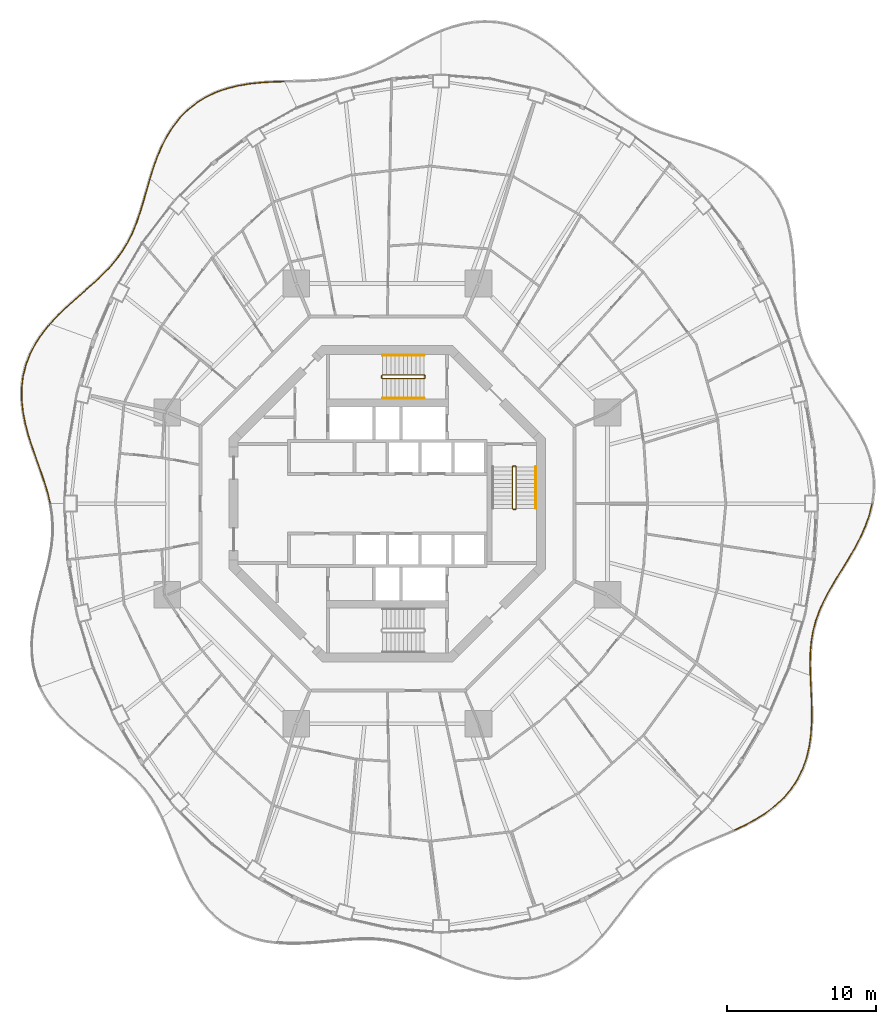
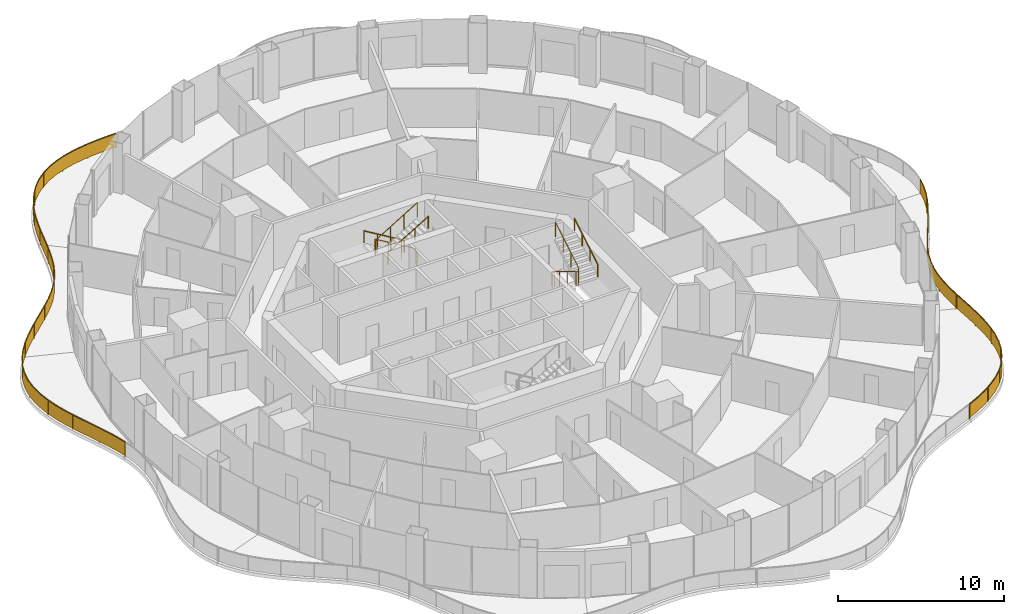
# One storey, part 18 of 19: 10 railings.
"""IFC4 building model written with IfcOpenShell, lengths in metres."""

from ifc_helpers import new_model, si_unit, direction, frame, origin, origin_2d, place, context, subcontext, project, spatial, polyline, rectangle, circle, outline, extrude, material, type_object, element, save


model = new_model("IFC4")

# Units and contexts
model_context = context("Model", 3, precision=1e-05, world=origin(), true_north=direction((0.0, 1.0)))
body_context = subcontext(model_context, "Body", "Model", "MODEL_VIEW")
ifc_project = project(units=[si_unit("LENGTHUNIT", "METRE"), si_unit("AREAUNIT", "SQUARE_METRE"), si_unit("VOLUMEUNIT", "CUBIC_METRE"), si_unit("PLANEANGLEUNIT", "RADIAN"), si_unit("MASSUNIT", "GRAM", prefix="KILO")], contexts=[model_context])

# Site, building, storey
site_placement = place(None, origin())
site = spatial("IfcSite", under=ifc_project, at=site_placement, CompositionType="ELEMENT")
building_placement = place(site_placement, origin())
building = spatial("IfcBuilding", under=site, at=building_placement, Name="Nagisa Residences", CompositionType="ELEMENT")
storey_placement = place(building_placement, frame((0.0, 0.0, 184.39990234375)))
storey = spatial("IfcBuildingStorey", under=building, at=storey_placement, Name="L46", CompositionType="ELEMENT", Elevation=184.39990234375)

# Railings
ifc_material_1 = material(Name="Stainless steel 316", Category="steel")
railing_type_1 = type_object("IfcRailingType", Name="BALCONY GUARD 1100", PredefinedType="BALUSTRADE", material=ifc_material_1)
railing_1_placement = place(storey_placement, frame((-6.9404296875, 28.35693359375, 0.0)))
element("IfcRailing", 1, at=railing_1_placement, inside=storey, type_object=railing_type_1, Name="guard:L46:bal05-0", PredefinedType="BALUSTRADE", context=body_context, shape_type="SweptSolid", body=[
    extrude(outline(polyline([(-0.731201171875, -0.044677734375), (0.000732421875, -0.02490234375), (-0.000732421875, 0.02490234375), (-0.733154296875, 0.005126953125), (-1.51904296875, -0.04150390625), (-2.304931640625, -0.1240234375), (-3.0810546875, -0.254638671875), (-3.8359375, -0.442138671875), (-4.551513671875, -0.687744140625), (-5.240478515625, -1.011962890625), (-5.882568359375, -1.407958984375), (-6.471435546875, -1.875), (-7.0029296875, -2.4091796875), (-7.46240234375, -2.992919921875), (-7.875, -3.63916015625), (-8.232177734375, -4.32666015625), (-8.539306640625, -5.04443359375), (-8.805419921875, -5.781005859375), (-9.02392578125, -6.4814453125), (-8.97607421875, -6.49658203125), (-8.758056640625, -5.797119140625), (-8.492919921875, -5.06298828125), (-8.186767578125, -4.34814453125), (-7.83154296875, -3.6640625), (-7.42138671875, -3.021728515625), (-6.96533203125, -2.4423828125), (-6.438232421875, -1.91259765625), (-5.853759765625, -1.448974609375), (-5.216552734375, -1.055908203125), (-4.532470703125, -0.734130859375), (-3.82177734375, -0.489990234375), (-3.07080078125, -0.303466796875), (-2.298095703125, -0.173828125), (-1.51513671875, -0.09130859375), (-0.731201171875, -0.044677734375)])), frame((0.0, 0.0, 1.050048828125)), (0.0, 0.0, 1.0), 0.050048828125),
    extrude(outline(polyline([(-0.73193359375, -0.02685546875), (0.000244140625, -0.007080078125), (-0.000244140625, 0.007080078125), (-0.732421875, -0.0126953125), (-1.517578125, -0.059326171875), (-2.302490234375, -0.14208984375), (-3.077392578125, -0.272216796875), (-3.830810546875, -0.459228515625), (-4.544677734375, -0.704345703125), (-5.23193359375, -1.02783203125), (-5.8720703125, -1.422607421875), (-6.45947265625, -1.888671875), (-6.9892578125, -2.421142578125), (-7.447509765625, -3.003173828125), (-7.859375, -3.648193359375), (-8.2158203125, -4.33447265625), (-8.522705078125, -5.051025390625), (-8.788330078125, -5.786865234375), (-9.006591796875, -6.48681640625), (-8.993408203125, -6.4912109375), (-8.775146484375, -5.791259765625), (-8.509521484375, -5.056396484375), (-8.203125, -4.34033203125), (-7.84716796875, -3.655029296875), (-7.436279296875, -3.011474609375), (-6.97900390625, -2.430419921875), (-6.4501953125, -1.89892578125), (-5.8642578125, -1.434326171875), (-5.22509765625, -1.0400390625), (-4.539306640625, -0.717529296875), (-3.826904296875, -0.472900390625), (-3.074462890625, -0.285888671875), (-2.300537109375, -0.15576171875), (-1.5166015625, -0.073486328125), (-0.73193359375, -0.02685546875)])), frame((0.0, 0.0, 0.06005859375)), (0.0, 0.0, 1.0), 0.989990234375),
    extrude(rectangle(XDim=0.0400390625, YDim=0.0400390625, at=origin_2d()), origin(), (0.0, 0.0, 1.0), 1.050048828125),
    extrude(rectangle(XDim=0.0400390625, YDim=0.0400390625, at=origin_2d()), frame((-2.029541015625, -0.120361328125, 0.0)), (0.0, 0.0, 1.0), 1.050048828125),
    extrude(rectangle(XDim=0.0400390625, YDim=0.0400390625, at=origin_2d()), frame((-4.017333984375, -0.53076171875, 0.0)), (0.0, 0.0, 1.0), 1.050048828125),
    extrude(rectangle(XDim=0.0400390625, YDim=0.0400390625, at=origin_2d()), frame((-5.841796875, -1.412109375, 0.0)), (0.0, 0.0, 1.0), 1.050048828125),
    extrude(rectangle(XDim=0.0400390625, YDim=0.0400390625, at=origin_2d()), frame((-7.295654296875, -2.821533203125, 0.0)), (0.0, 0.0, 1.0), 1.050048828125),
    extrude(rectangle(XDim=0.0400390625, YDim=0.0400390625, at=origin_2d()), frame((-8.31201171875, -4.57666015625, 0.0)), (0.0, 0.0, 1.0), 1.050048828125),
    extrude(rectangle(XDim=0.0400390625, YDim=0.0400390625, at=origin_2d()), frame((-9.0, -6.489013671875, 0.0)), (0.0, 0.0, 1.0), 1.050048828125),
])
railing_2_placement = place(storey_placement, frame((-15.961181640625, 21.794189453125, 0.0)))
element("IfcRailing", 2, at=railing_2_placement, inside=storey, type_object=railing_type_1, Name="guard:L46:bal06-0", PredefinedType="BALUSTRADE", context=body_context, shape_type="SweptSolid", body=[
    extrude(outline(polyline([(-0.185791015625, -0.739013671875), (0.024169921875, -0.0068359375), (-0.024169921875, 0.0068359375), (-0.234130859375, -0.725341796875), (-0.45068359375, -1.4853515625), (-0.674072265625, -2.220947265625), (-0.91650390625, -2.926025390625), (-1.19091796875, -3.59619140625), (-1.49755859375, -4.2177734375), (-1.860595703125, -4.8173828125), (-2.275146484375, -5.386474609375), (-2.7412109375, -5.931396484375), (-3.25439453125, -6.458984375), (-3.80126953125, -6.96435546875), (-4.384521484375, -7.482421875), (-4.98388671875, -8.0087890625), (-5.58447265625, -8.551025390625), (-6.169677734375, -9.115966796875), (-6.69287109375, -9.673095703125), (-6.65625, -9.707275390625), (-6.134033203125, -9.151123046875), (-5.55029296875, -8.587646484375), (-4.95068359375, -8.04638671875), (-4.351318359375, -7.52001953125), (-3.767578125, -7.00146484375), (-3.21923828125, -6.49462890625), (-2.7041015625, -5.965087890625), (-2.236083984375, -5.417724609375), (-1.819091796875, -4.84521484375), (-1.45361328125, -4.24169921875), (-1.14501953125, -3.61669921875), (-0.86962890625, -2.943603515625), (-0.626220703125, -2.236572265625), (-0.40283203125, -1.49951171875), (-0.185791015625, -0.739013671875)])), frame((0.0, 0.0, 1.050048828125)), (0.0, 0.0, 1.0), 0.050048828125),
    extrude(outline(polyline([(-0.203125, -0.734130859375), (0.0068359375, -0.001953125), (-0.0068359375, 0.001953125), (-0.216796875, -0.730224609375), (-0.43359375, -1.490478515625), (-0.65673828125, -2.2265625), (-0.899658203125, -2.932373046875), (-1.17431640625, -3.603515625), (-1.481689453125, -4.226318359375), (-1.845703125, -4.827392578125), (-2.26123046875, -5.397705078125), (-2.727783203125, -5.943603515625), (-3.24169921875, -6.4716796875), (-3.7890625, -6.977783203125), (-4.37255859375, -7.49609375), (-4.971923828125, -8.0224609375), (-5.572265625, -8.564208984375), (-6.15673828125, -9.128662109375), (-6.6796875, -9.685302734375), (-6.66943359375, -9.695068359375), (-6.14697265625, -9.138427734375), (-5.5625, -8.574462890625), (-4.962646484375, -8.03271484375), (-4.36328125, -7.50634765625), (-3.77978515625, -6.988037109375), (-3.23193359375, -6.48193359375), (-2.717529296875, -5.952880859375), (-2.25, -5.406494140625), (-1.833984375, -4.835205078125), (-1.469482421875, -4.233154296875), (-1.16162109375, -3.609375), (-0.886474609375, -2.937255859375), (-0.6435546875, -2.23095703125), (-0.419921875, -1.494384765625), (-0.203125, -0.734130859375)])), frame((0.0, 0.0, 0.06005859375)), (0.0, 0.0, 1.0), 0.989990234375),
    extrude(rectangle(XDim=0.0400390625, YDim=0.0400390625, at=origin_2d()), origin(), (0.0, 0.0, 1.0), 1.050048828125),
    extrude(rectangle(XDim=0.0400390625, YDim=0.0400390625, at=origin_2d()), frame((-0.559814453125, -1.930908203125, 0.0)), (0.0, 0.0, 1.0), 1.050048828125),
    extrude(rectangle(XDim=0.0400390625, YDim=0.0400390625, at=origin_2d()), frame((-1.268310546875, -3.809814453125, 0.0)), (0.0, 0.0, 1.0), 1.050048828125),
    extrude(rectangle(XDim=0.0400390625, YDim=0.0400390625, at=origin_2d()), frame((-2.342041015625, -5.5029296875, 0.0)), (0.0, 0.0, 1.0), 1.050048828125),
    extrude(rectangle(XDim=0.0400390625, YDim=0.0400390625, at=origin_2d()), frame((-3.741455078125, -6.943359375, 0.0)), (0.0, 0.0, 1.0), 1.050048828125),
    extrude(rectangle(XDim=0.0400390625, YDim=0.0400390625, at=origin_2d()), frame((-5.244873046875, -8.278076171875, 0.0)), (0.0, 0.0, 1.0), 1.050048828125),
    extrude(rectangle(XDim=0.0400390625, YDim=0.0400390625, at=origin_2d()), frame((-6.674560546875, -9.690185546875, 0.0)), (0.0, 0.0, 1.0), 1.050048828125),
])
railing_3_placement = place(storey_placement, frame((-22.687255859375, 12.04638671875, 0.0)))
element("IfcRailing", 3, at=railing_3_placement, inside=storey, type_object=railing_type_1, Name="guard:L46:bal07-0", PredefinedType="BALUSTRADE", context=body_context, shape_type="SweptSolid", body=[
    extrude(outline(polyline([(-0.471923828125, -0.62060546875), (0.01953125, -0.015869140625), (-0.01953125, 0.015869140625), (-0.512451171875, -0.5908203125), (-0.9658203125, -1.26904296875), (-1.339599609375, -1.98095703125), (-1.623291015625, -2.723876953125), (-1.811767578125, -3.49365234375), (-1.901123046875, -4.270263671875), (-1.900634765625, -5.074462890625), (-1.81591796875, -5.885986328125), (-1.65869140625, -6.697998046875), (-1.4443359375, -7.504638671875), (-1.18896484375, -8.28759765625), (-0.914794921875, -9.070556640625), (-0.6396484375, -9.83837890625), (-0.382080078125, -10.591064453125), (-0.158447265625, -11.330078125), (0.0078125, -12.01806640625), (0.056640625, -12.00634765625), (-0.110107421875, -11.31689453125), (-0.334228515625, -10.575927734375), (-0.59228515625, -9.82177734375), (-0.867431640625, -9.053955078125), (-1.1416015625, -8.271484375), (-1.396484375, -7.490478515625), (-1.60986328125, -6.686767578125), (-1.7666015625, -5.878662109375), (-1.850830078125, -5.072021484375), (-1.850830078125, -4.273193359375), (-1.762451171875, -3.50244140625), (-1.575439453125, -2.739013671875), (-1.293701171875, -2.00146484375), (-0.9228515625, -1.29443359375), (-0.471923828125, -0.62060546875)])), frame((0.0, 0.0, 1.050048828125)), (0.0, 0.0, 1.0), 0.050048828125),
    extrude(outline(polyline([(-0.486572265625, -0.60986328125), (0.00537109375, -0.00439453125), (-0.00537109375, 0.00439453125), (-0.497802734375, -0.6015625), (-0.950439453125, -1.278076171875), (-1.322998046875, -1.98828125), (-1.60595703125, -2.729248046875), (-1.7939453125, -3.496826171875), (-1.883056640625, -4.271240234375), (-1.8828125, -5.073486328125), (-1.798095703125, -5.88330078125), (-1.64111328125, -6.69384765625), (-1.42724609375, -7.49951171875), (-1.171875, -8.28173828125), (-0.897705078125, -9.064697265625), (-0.62255859375, -9.832275390625), (-0.36474609375, -10.585693359375), (-0.14111328125, -11.325439453125), (0.025390625, -12.013916015625), (0.0390625, -12.010498046875), (-0.12744140625, -11.321533203125), (-0.3515625, -10.581298828125), (-0.609375, -9.827880859375), (-0.884521484375, -9.059814453125), (-1.15869140625, -8.27734375), (-1.41357421875, -7.49560546875), (-1.62744140625, -6.69091796875), (-1.784423828125, -5.88134765625), (-1.86865234375, -5.072998046875), (-1.868896484375, -4.272216796875), (-1.7802734375, -3.499267578125), (-1.5927734375, -2.733642578125), (-1.310302734375, -1.994140625), (-0.938232421875, -1.285400390625), (-0.486572265625, -0.60986328125)])), frame((0.0, 0.0, 0.06005859375)), (0.0, 0.0, 1.0), 0.989990234375),
    extrude(rectangle(XDim=0.0400390625, YDim=0.0400390625, at=origin_2d()), origin(), (0.0, 0.0, 1.0), 1.050048828125),
    extrude(rectangle(XDim=0.0400390625, YDim=0.0400390625, at=origin_2d()), frame((-1.193115234375, -1.755615234375, 0.0)), (0.0, 0.0, 1.0), 1.050048828125),
    extrude(rectangle(XDim=0.0400390625, YDim=0.0400390625, at=origin_2d()), frame((-1.8193359375, -3.777587890625, 0.0)), (0.0, 0.0, 1.0), 1.050048828125),
    extrude(rectangle(XDim=0.0400390625, YDim=0.0400390625, at=origin_2d()), frame((-1.7880859375, -5.898681640625, 0.0)), (0.0, 0.0, 1.0), 1.050048828125),
    extrude(rectangle(XDim=0.0400390625, YDim=0.0400390625, at=origin_2d()), frame((-1.269287109375, -7.9609375, 0.0)), (0.0, 0.0, 1.0), 1.050048828125),
    extrude(rectangle(XDim=0.0400390625, YDim=0.0400390625, at=origin_2d()), frame((-0.567626953125, -9.970947265625, 0.0)), (0.0, 0.0, 1.0), 1.050048828125),
    extrude(rectangle(XDim=0.0400390625, YDim=0.0400390625, at=origin_2d()), frame((0.0322265625, -12.01220703125, 0.0)), (0.0, 0.0, 1.0), 1.050048828125),
])
railing_4_placement = place(storey_placement, frame((23.319580078125, -21.9326171875, 0.0)))
element("IfcRailing", 4, at=railing_4_placement, inside=storey, type_object=railing_type_1, Name="guard:L46:bal14-0", PredefinedType="BALUSTRADE", context=body_context, shape_type="SweptSolid", body=[
    extrude(outline(polyline([(0.688720703125, 0.35107421875), (-0.0107421875, 0.022705078125), (0.0107421875, -0.022705078125), (0.711181640625, 0.30615234375), (1.431396484375, 0.69482421875), (2.11669921875, 1.129150390625), (2.7529296875, 1.615234375), (3.327392578125, 2.15478515625), (3.82421875, 2.739013671875), (4.25048828125, 3.3876953125), (4.595458984375, 4.084228515625), (4.8583984375, 4.822021484375), (5.043701171875, 5.5927734375), (5.152099609375, 6.374267578125), (5.20751953125, 7.183349609375), (5.216796875, 7.99755859375), (5.194580078125, 8.80810546875), (5.157958984375, 9.607666015625), (5.12353515625, 10.34716796875), (5.07373046875, 10.3447265625), (5.108154296875, 9.605224609375), (5.144775390625, 8.80615234375), (5.16650390625, 7.9970703125), (5.15771484375, 7.185302734375), (5.102294921875, 6.379638671875), (4.994384765625, 5.60205078125), (4.810546875, 4.836181640625), (4.549072265625, 4.103759765625), (4.20703125, 3.41259765625), (3.7841796875, 2.769287109375), (3.291259765625, 2.189453125), (2.720703125, 1.6533203125), (2.087890625, 1.170166015625), (1.406005859375, 0.73828125), (0.688720703125, 0.35107421875)])), frame((0.0, 0.0, 1.050048828125)), (0.0, 0.0, 1.0), 0.050048828125),
    extrude(outline(polyline([(0.69677734375, 0.3349609375), (-0.0029296875, 0.00634765625), (0.0029296875, -0.00634765625), (0.703125, 0.322265625), (1.422119140625, 0.71044921875), (2.106201171875, 1.143798828125), (2.741455078125, 1.62890625), (3.314453125, 2.167236328125), (3.809814453125, 2.75), (4.23486328125, 3.396728515625), (4.57861328125, 4.09130859375), (4.84130859375, 4.8271484375), (5.02587890625, 5.59619140625), (5.13427734375, 6.376220703125), (5.189697265625, 7.18408203125), (5.19873046875, 7.997314453125), (5.1767578125, 8.807373046875), (5.14013671875, 9.606689453125), (5.105712890625, 10.34619140625), (5.091552734375, 10.345703125), (5.1259765625, 9.606201171875), (5.16259765625, 8.806884765625), (5.1845703125, 7.997314453125), (5.175537109375, 7.1845703125), (5.1201171875, 6.377685546875), (5.01220703125, 5.5986328125), (4.82763671875, 4.8310546875), (4.56591796875, 4.0966796875), (4.22265625, 3.403564453125), (3.798583984375, 2.75830078125), (3.30419921875, 2.177001953125), (2.732177734375, 1.6396484375), (2.098388671875, 1.155517578125), (1.415283203125, 0.72265625), (0.69677734375, 0.3349609375)])), frame((0.0, 0.0, 0.06005859375)), (0.0, 0.0, 1.0), 0.989990234375),
    extrude(rectangle(XDim=0.0400390625, YDim=0.0400390625, at=origin_2d()), origin(), (0.0, 0.0, 1.0), 1.050048828125),
    extrude(rectangle(XDim=0.0400390625, YDim=0.0400390625, at=origin_2d()), frame((1.85302734375, 0.99169921875, 0.0)), (0.0, 0.0, 1.0), 1.050048828125),
    extrude(rectangle(XDim=0.0400390625, YDim=0.0400390625, at=origin_2d()), frame((3.455078125, 2.343505859375, 0.0)), (0.0, 0.0, 1.0), 1.050048828125),
    extrude(rectangle(XDim=0.0400390625, YDim=0.0400390625, at=origin_2d()), frame((4.578369140625, 4.111083984375, 0.0)), (0.0, 0.0, 1.0), 1.050048828125),
    extrude(rectangle(XDim=0.0400390625, YDim=0.0400390625, at=origin_2d()), frame((5.0947265625, 6.143798828125, 0.0)), (0.0, 0.0, 1.0), 1.050048828125),
    extrude(rectangle(XDim=0.0400390625, YDim=0.0400390625, at=origin_2d()), frame((5.18505859375, 8.24365234375, 0.0)), (0.0, 0.0, 1.0), 1.050048828125),
    extrude(rectangle(XDim=0.0400390625, YDim=0.0400390625, at=origin_2d()), frame((5.0986328125, 10.345947265625, 0.0)), (0.0, 0.0, 1.0), 1.050048828125),
])
railing_5_placement = place(storey_placement, frame((28.41357421875, -11.511962890625, 0.0)))
element("IfcRailing", 5, at=railing_5_placement, inside=storey, type_object=railing_type_1, Name="guard:L46:bal15-0", PredefinedType="BALUSTRADE", context=body_context, shape_type="SweptSolid", body=[
    extrude(outline(polyline([(-0.042724609375, 0.7431640625), (-0.02490234375, -0.00048828125), (0.02490234375, 0.00048828125), (0.007568359375, 0.7431640625), (0.02490234375, 1.505126953125), (0.090087890625, 2.2431640625), (0.2119140625, 2.958984375), (0.396240234375, 3.65625), (0.640380859375, 4.3271484375), (0.94775390625, 5.00439453125), (1.30712890625, 5.68017578125), (1.706298828125, 6.361083984375), (2.130615234375, 7.0517578125), (2.56103515625, 7.742919921875), (2.981201171875, 8.46435546875), (3.370361328125, 9.20361328125), (3.7099609375, 9.960205078125), (3.98291015625, 10.731689453125), (4.16552734375, 11.46826171875), (4.1171875, 11.48046875), (3.93505859375, 10.745849609375), (3.66357421875, 9.978759765625), (3.325439453125, 9.2255859375), (2.937255859375, 8.48876953125), (2.51806640625, 7.768798828125), (2.088134765625, 7.078125), (1.663330078125, 6.386962890625), (1.26318359375, 5.70458984375), (0.90283203125, 5.0263671875), (0.593994140625, 4.34619140625), (0.348388671875, 3.67138671875), (0.1630859375, 2.9697265625), (0.040283203125, 2.24951171875), (-0.02490234375, 1.508056640625), (-0.042724609375, 0.7431640625)])), frame((0.0, 0.0, 1.050048828125)), (0.0, 0.0, 1.0), 0.050048828125),
    extrude(outline(polyline([(-0.024658203125, 0.7431640625), (-0.007080078125, -0.000244140625), (0.007080078125, 0.000244140625), (-0.010498046875, 0.7431640625), (0.007080078125, 1.506103515625), (0.072021484375, 2.245361328125), (0.1943359375, 2.962890625), (0.37890625, 3.66162109375), (0.623779296875, 4.333984375), (0.931640625, 5.01220703125), (1.291259765625, 5.68896484375), (1.69091796875, 6.370361328125), (2.115234375, 7.061279296875), (2.545654296875, 7.752197265625), (2.96533203125, 8.47314453125), (3.354248046875, 9.21142578125), (3.693359375, 9.966796875), (3.965576171875, 10.73681640625), (4.148193359375, 11.47265625), (4.134521484375, 11.47607421875), (3.952392578125, 10.74072265625), (3.68017578125, 9.97216796875), (3.341552734375, 9.2177734375), (2.953125, 8.47998046875), (2.533447265625, 7.759521484375), (2.103515625, 7.068603515625), (1.6787109375, 6.377685546875), (1.279052734375, 5.69580078125), (0.9189453125, 5.0185546875), (0.610595703125, 4.33935546875), (0.36572265625, 3.666015625), (0.1806640625, 2.9658203125), (0.058349609375, 2.247314453125), (-0.007080078125, 1.507080078125), (-0.024658203125, 0.7431640625)])), frame((0.0, 0.0, 0.06005859375)), (0.0, 0.0, 1.0), 0.989990234375),
    extrude(rectangle(XDim=0.0400390625, YDim=0.0400390625, at=origin_2d()), origin(), (0.0, 0.0, 1.0), 1.050048828125),
    extrude(rectangle(XDim=0.0400390625, YDim=0.0400390625, at=origin_2d()), frame((0.04931640625, 2.06640625, 0.0)), (0.0, 0.0, 1.0), 1.050048828125),
    extrude(rectangle(XDim=0.0400390625, YDim=0.0400390625, at=origin_2d()), frame((0.521728515625, 4.073974609375, 0.0)), (0.0, 0.0, 1.0), 1.050048828125),
    extrude(rectangle(XDim=0.0400390625, YDim=0.0400390625, at=origin_2d()), frame((1.425537109375, 5.931640625, 0.0)), (0.0, 0.0, 1.0), 1.050048828125),
    extrude(rectangle(XDim=0.0400390625, YDim=0.0400390625, at=origin_2d()), frame((2.50341796875, 7.69775390625, 0.0)), (0.0, 0.0, 1.0), 1.050048828125),
    extrude(rectangle(XDim=0.0400390625, YDim=0.0400390625, at=origin_2d()), frame((3.48388671875, 9.517822265625, 0.0)), (0.0, 0.0, 1.0), 1.050048828125),
    extrude(rectangle(XDim=0.0400390625, YDim=0.0400390625, at=origin_2d()), frame((4.141357421875, 11.474365234375, 0.0)), (0.0, 0.0, 1.0), 1.050048828125),
])
ifc_material_2 = material(Name="Stainless steel", Category="steel")
railing_type_2 = type_object("IfcRailingType", Name="Stair guard 1100", PredefinedType="GUARDRAIL", material=ifc_material_2)
railing_6_placement = place(storey_placement, frame((8.599609375, 2.52490234375, 0.0)))
element("IfcRailing", 6, at=railing_6_placement, inside=storey, type_object=railing_type_2, Name="L46 ST-E stair guard 1", PredefinedType="GUARDRAIL", context=body_context, shape_type="SweptSolid", body=[
    extrude(circle(Radius=0.02392578125, at=origin_2d()), frame((0.0, 0.0, 1.076171875), z_axis=(-1.0, 0.0, 0.0), x_axis=(0.0, -1.0, 0.0)), (0.0, 0.0, 1.0), 0.14990234375),
    extrude(circle(Radius=0.02392578125, at=origin_2d()), frame((-0.14990234375, 0.0, 1.076171875), z_axis=(-0.27434429532, -0.273006030465, 0.922064485248), x_axis=(0.705375805398, -0.708833529934, 0.0)), (0.0, 0.0, 1.0), 0.182373046875),
    extrude(circle(Radius=0.02392578125, at=origin_2d()), frame((-0.199951171875, -0.0498046875, 1.244140625), z_axis=(0.0, -0.857242210791, 0.514913383045), x_axis=(1.0, 0.0, 0.0)), (0.0, 0.0, 1.0), 3.266357421875),
    extrude(circle(Radius=0.02392578125, at=origin_2d()), frame((-0.199951171875, -2.849853515625, 2.92626953125), z_axis=(0.707106781187, -0.707106781187, 0.0), x_axis=(0.707106781187, 0.707106781187, 0.0)), (0.0, 0.0, 1.0), 0.07080078125),
    extrude(circle(Radius=0.02392578125, at=origin_2d()), frame((-0.14990234375, -2.89990234375, 2.92626953125), z_axis=(1.0, 0.0, 0.0), x_axis=(0.0, 1.0, 0.0)), (0.0, 0.0, 1.0), 0.14990234375),
    extrude(circle(Radius=0.02392578125, at=origin_2d()), frame((0.0, -2.89990234375, 2.92626953125), z_axis=(0.274243871929, 0.274243871929, 0.92172696468), x_axis=(-0.707106781187, 0.707106781187, 0.0)), (0.0, 0.0, 1.0), 0.1826171875),
    extrude(circle(Radius=0.02392578125, at=origin_2d()), frame((0.050048828125, -2.849853515625, 3.09423828125), z_axis=(0.0, 0.857242210791, 0.514913383045), x_axis=(-1.0, 0.0, 0.0)), (0.0, 0.0, 1.0), 3.266357421875),
    extrude(circle(Radius=0.02099609375, at=origin_2d()), origin(), (0.0, 0.0, 1.0), 1.052001953125),
    extrude(circle(Radius=0.02099609375, at=origin_2d()), frame((-0.14990234375, 0.0, 0.0)), (0.0, 0.0, 1.0), 1.052001953125),
    extrude(circle(Radius=0.02099609375, at=origin_2d()), frame((-0.199951171875, -0.0498046875, 0.168212890625)), (0.0, 0.0, 1.0), 1.052001953125),
    extrude(circle(Radius=0.02099609375, at=origin_2d()), frame((-0.199951171875, -0.983154296875, 0.728759765625)), (0.0, 0.0, 1.0), 1.052001953125),
    extrude(circle(Radius=0.02099609375, at=origin_2d()), frame((-0.199951171875, -1.91650390625, 1.28955078125)), (0.0, 0.0, 1.0), 1.052001953125),
    extrude(circle(Radius=0.02099609375, at=origin_2d()), frame((-0.199951171875, -2.849853515625, 1.85009765625)), (0.0, 0.0, 1.0), 1.052001953125),
    extrude(circle(Radius=0.02099609375, at=origin_2d()), frame((-0.14990234375, -2.89990234375, 1.85009765625)), (0.0, 0.0, 1.0), 1.052001953125),
    extrude(circle(Radius=0.02099609375, at=origin_2d()), frame((0.0, -2.89990234375, 1.85009765625)), (0.0, 0.0, 1.0), 1.052001953125),
    extrude(circle(Radius=0.02099609375, at=origin_2d()), frame((0.050048828125, -2.849853515625, 2.018310546875)), (0.0, 0.0, 1.0), 1.052001953125),
    extrude(circle(Radius=0.02099609375, at=origin_2d()), frame((0.050048828125, -1.91650390625, 2.578857421875)), (0.0, 0.0, 1.0), 1.052001953125),
    extrude(circle(Radius=0.02099609375, at=origin_2d()), frame((0.050048828125, -0.983154296875, 3.1396484375)), (0.0, 0.0, 1.0), 1.052001953125),
    extrude(circle(Radius=0.02099609375, at=origin_2d()), frame((0.050048828125, -0.0498046875, 3.7001953125)), (0.0, 0.0, 1.0), 1.052001953125),
])
railing_7_placement = place(storey_placement, frame((2.52490234375, 8.44970703125, 0.0)))
element("IfcRailing", 7, at=railing_7_placement, inside=storey, type_object=railing_type_2, Name="L46 ST-N stair guard 1", PredefinedType="GUARDRAIL", context=body_context, shape_type="SweptSolid", body=[
    extrude(circle(Radius=0.02392578125, at=origin_2d()), frame((0.0, 0.0, 1.076171875), z_axis=(0.0, 1.0, 0.0), x_axis=(-1.0, 0.0, 0.0)), (0.0, 0.0, 1.0), 0.14990234375),
    extrude(circle(Radius=0.02392578125, at=origin_2d()), frame((0.0, 0.14990234375, 1.076171875), z_axis=(-0.273006030465, 0.27434429532, 0.922064485248), x_axis=(-0.708833529934, -0.705375805398, 0.0)), (0.0, 0.0, 1.0), 0.182373046875),
    extrude(circle(Radius=0.02392578125, at=origin_2d()), frame((-0.0498046875, 0.199951171875, 1.244140625), z_axis=(-0.857242210791, 0.0, 0.514913383045), x_axis=(0.0, -1.0, 0.0)), (0.0, 0.0, 1.0), 3.266357421875),
    extrude(circle(Radius=0.02392578125, at=origin_2d()), frame((-2.849853515625, 0.199951171875, 2.92626953125), z_axis=(-0.707106781187, -0.707106781187, 0.0), x_axis=(0.707106781187, -0.707106781187, 0.0)), (0.0, 0.0, 1.0), 0.07080078125),
    extrude(circle(Radius=0.02392578125, at=origin_2d()), frame((-2.89990234375, 0.14990234375, 2.92626953125), z_axis=(0.0, -1.0, 0.0), x_axis=(1.0, 0.0, 0.0)), (0.0, 0.0, 1.0), 0.14990234375),
    extrude(circle(Radius=0.02392578125, at=origin_2d()), frame((-2.89990234375, 0.0, 2.92626953125), z_axis=(0.274243871929, -0.274243871929, 0.92172696468), x_axis=(0.707106781187, 0.707106781187, 0.0)), (0.0, 0.0, 1.0), 0.1826171875),
    extrude(circle(Radius=0.02392578125, at=origin_2d()), frame((-2.849853515625, -0.050048828125, 3.09423828125), z_axis=(0.857242210791, 0.0, 0.514913383045), x_axis=(0.0, 1.0, 0.0)), (0.0, 0.0, 1.0), 3.266357421875),
    extrude(circle(Radius=0.02099609375, at=origin_2d()), origin(), (0.0, 0.0, 1.0), 1.052001953125),
    extrude(circle(Radius=0.02099609375, at=origin_2d()), frame((0.0, 0.14990234375, 0.0)), (0.0, 0.0, 1.0), 1.052001953125),
    extrude(circle(Radius=0.02099609375, at=origin_2d()), frame((-0.0498046875, 0.199951171875, 0.168212890625)), (0.0, 0.0, 1.0), 1.052001953125),
    extrude(circle(Radius=0.02099609375, at=origin_2d()), frame((-0.983154296875, 0.199951171875, 0.728759765625)), (0.0, 0.0, 1.0), 1.052001953125),
    extrude(circle(Radius=0.02099609375, at=origin_2d()), frame((-1.91650390625, 0.199951171875, 1.28955078125)), (0.0, 0.0, 1.0), 1.052001953125),
    extrude(circle(Radius=0.02099609375, at=origin_2d()), frame((-2.849853515625, 0.199951171875, 1.85009765625)), (0.0, 0.0, 1.0), 1.052001953125),
    extrude(circle(Radius=0.02099609375, at=origin_2d()), frame((-2.89990234375, 0.14990234375, 1.85009765625)), (0.0, 0.0, 1.0), 1.052001953125),
    extrude(circle(Radius=0.02099609375, at=origin_2d()), frame((-2.89990234375, 0.0, 1.85009765625)), (0.0, 0.0, 1.0), 1.052001953125),
    extrude(circle(Radius=0.02099609375, at=origin_2d()), frame((-2.849853515625, -0.050048828125, 2.018310546875)), (0.0, 0.0, 1.0), 1.052001953125),
    extrude(circle(Radius=0.02099609375, at=origin_2d()), frame((-1.91650390625, -0.050048828125, 2.578857421875)), (0.0, 0.0, 1.0), 1.052001953125),
    extrude(circle(Radius=0.02099609375, at=origin_2d()), frame((-0.983154296875, -0.050048828125, 3.1396484375)), (0.0, 0.0, 1.0), 1.052001953125),
    extrude(circle(Radius=0.02099609375, at=origin_2d()), frame((-0.0498046875, -0.050048828125, 3.7001953125)), (0.0, 0.0, 1.0), 1.052001953125),
])
ifc_material_3 = material(Name="Stainless steel", Category="steel")
railing_type_3 = type_object("IfcRailingType", Name="Stair handrail 900", PredefinedType="HANDRAIL", material=ifc_material_3)
railing_8_placement = place(storey_placement, frame((9.974609375, -0.324951171875, 2.018310546875)))
element("IfcRailing", 8, at=railing_8_placement, inside=storey, type_object=railing_type_3, Name="L46 ST-E stair handrail 2", PredefinedType="HANDRAIL", context=body_context, shape_type="SweptSolid", body=[
    extrude(circle(Radius=0.02392578125, at=origin_2d()), frame((0.0, 0.0, 0.8759765625), z_axis=(0.0, 0.857242210791, 0.514913383045), x_axis=(-1.0, 0.0, 0.0)), (0.0, 0.0, 1.0), 3.266357421875),
    extrude(circle(Radius=0.02099609375, at=origin_2d()), origin(), (0.0, 0.0, 1.0), 0.851806640625),
    extrude(circle(Radius=0.02099609375, at=origin_2d()), frame((0.0, 0.933349609375, 0.560546875)), (0.0, 0.0, 1.0), 0.851806640625),
    extrude(circle(Radius=0.02099609375, at=origin_2d()), frame((0.0, 1.86669921875, 1.121337890625)), (0.0, 0.0, 1.0), 0.851806640625),
    extrude(circle(Radius=0.02099609375, at=origin_2d()), frame((0.0, 2.800048828125, 1.681884765625)), (0.0, 0.0, 1.0), 0.851806640625),
])
railing_9_placement = place(storey_placement, frame((2.47509765625, 9.974609375, 0.168212890625)))
element("IfcRailing", 9, at=railing_9_placement, inside=storey, type_object=railing_type_3, Name="L46 ST-N stair handrail 1", PredefinedType="HANDRAIL", context=body_context, shape_type="SweptSolid", body=[
    extrude(circle(Radius=0.02392578125, at=origin_2d()), frame((0.0, 0.0, 0.8759765625), z_axis=(-0.857242210791, 0.0, 0.514913383045), x_axis=(0.0, -1.0, 0.0)), (0.0, 0.0, 1.0), 3.266357421875),
    extrude(circle(Radius=0.02099609375, at=origin_2d()), origin(), (0.0, 0.0, 1.0), 0.851806640625),
    extrude(circle(Radius=0.02099609375, at=origin_2d()), frame((-0.933349609375, 0.0, 0.560546875)), (0.0, 0.0, 1.0), 0.851806640625),
    extrude(circle(Radius=0.02099609375, at=origin_2d()), frame((-1.86669921875, 0.0, 1.121337890625)), (0.0, 0.0, 1.0), 0.851806640625),
    extrude(circle(Radius=0.02099609375, at=origin_2d()), frame((-2.800048828125, 0.0, 1.681884765625)), (0.0, 0.0, 1.0), 0.851806640625),
])
railing_10_placement = place(storey_placement, frame((-0.324951171875, 7.07470703125, 2.018310546875)))
element("IfcRailing", 10, at=railing_10_placement, inside=storey, type_object=railing_type_3, Name="L46 ST-N stair handrail 2", PredefinedType="HANDRAIL", context=body_context, shape_type="SweptSolid", body=[
    extrude(circle(Radius=0.02392578125, at=origin_2d()), frame((0.0, 0.0, 0.8759765625), z_axis=(0.857242210791, 0.0, 0.514913383045), x_axis=(0.0, 1.0, 0.0)), (0.0, 0.0, 1.0), 3.266357421875),
    extrude(circle(Radius=0.02099609375, at=origin_2d()), origin(), (0.0, 0.0, 1.0), 0.851806640625),
    extrude(circle(Radius=0.02099609375, at=origin_2d()), frame((0.933349609375, 0.0, 0.560546875)), (0.0, 0.0, 1.0), 0.851806640625),
    extrude(circle(Radius=0.02099609375, at=origin_2d()), frame((1.86669921875, 0.0, 1.121337890625)), (0.0, 0.0, 1.0), 0.851806640625),
    extrude(circle(Radius=0.02099609375, at=origin_2d()), frame((2.800048828125, 0.0, 1.681884765625)), (0.0, 0.0, 1.0), 0.851806640625),
])

save(model, "model.ifc")
